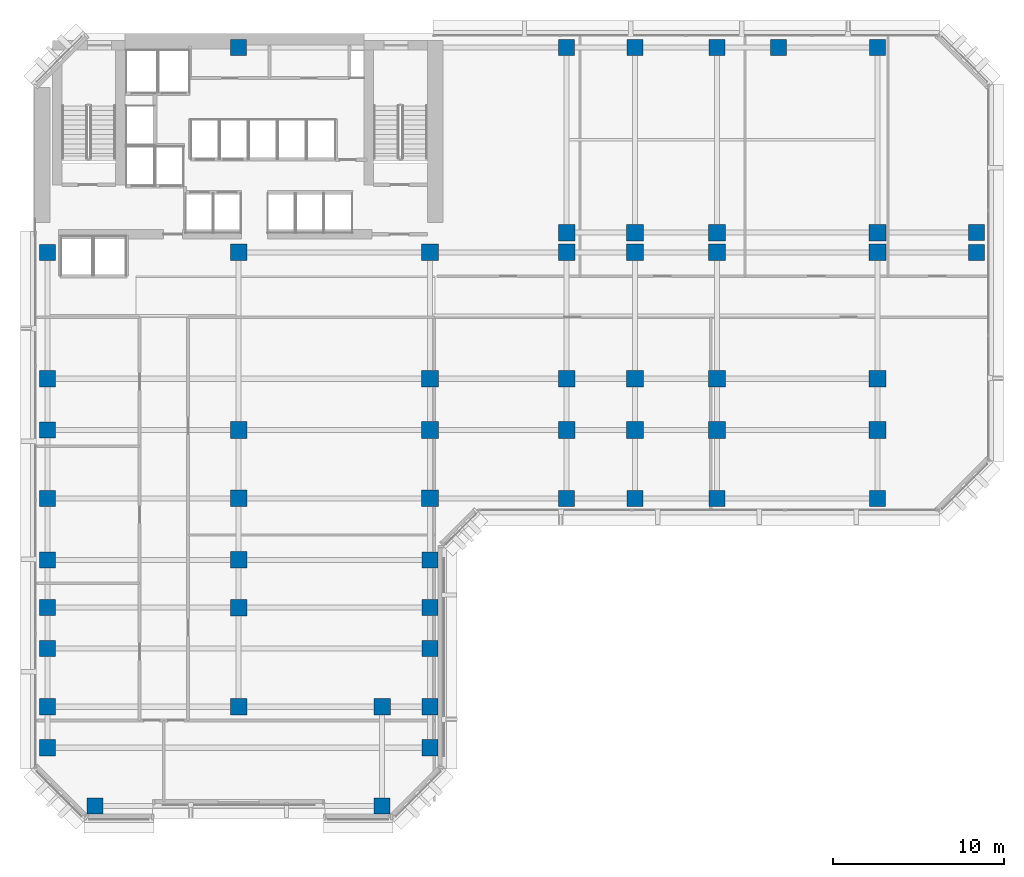
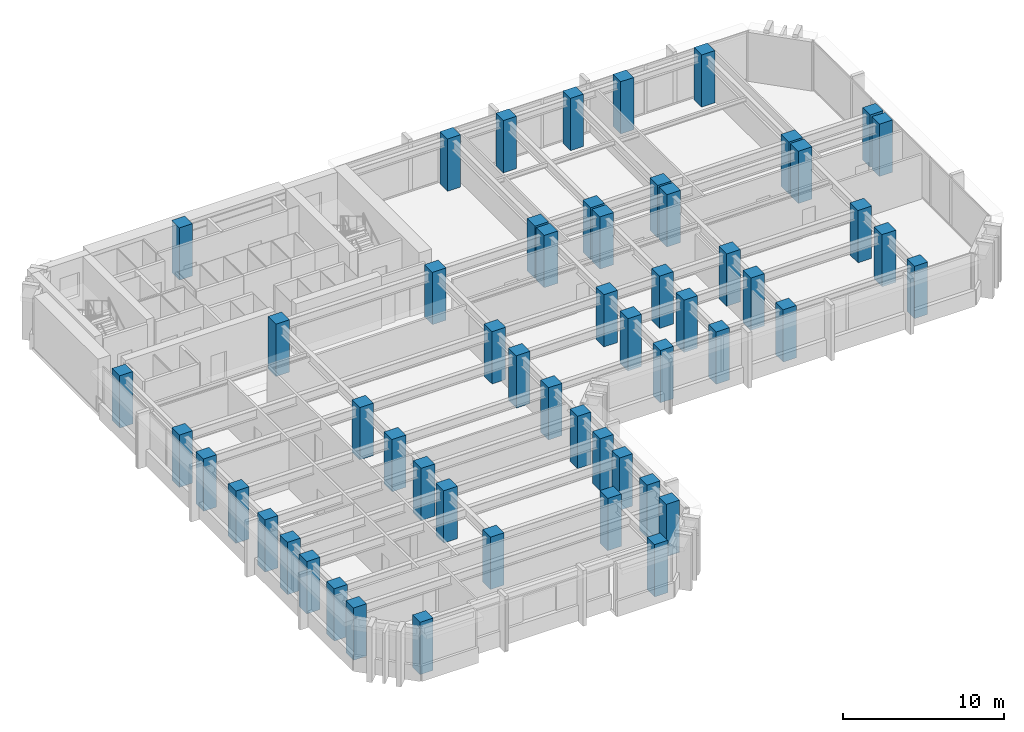
# One storey, part 1 of 13: 55 columns.
"""IFC4 building model written with IfcOpenShell, lengths in metres."""

from ifc_helpers import new_model, si_unit, direction, frame, origin, origin_2d, place, context, subcontext, project, spatial, rectangle, extrude, material, material_profile, profile_set, type_object, element, save


model = new_model("IFC4")

# Units and contexts
model_context = context("Model", 3, precision=1e-05, world=origin(), true_north=direction((0.0, 1.0)))
body_context = subcontext(model_context, "Body", "Model", "MODEL_VIEW")
ifc_project = project(units=[si_unit("LENGTHUNIT", "METRE"), si_unit("AREAUNIT", "SQUARE_METRE"), si_unit("VOLUMEUNIT", "CUBIC_METRE"), si_unit("PLANEANGLEUNIT", "RADIAN"), si_unit("MASSUNIT", "GRAM", prefix="KILO")], contexts=[model_context])

# Site, building, storey
site_placement = place(None, origin())
site = spatial("IfcSite", under=ifc_project, at=site_placement, CompositionType="ELEMENT")
building_placement = place(site_placement, origin())
building = spatial("IfcBuilding", under=site, at=building_placement, Name="Kefirva Bronze Tower", CompositionType="ELEMENT")
storey_placement = place(building_placement, frame((0.0, 0.0, 38.280029296875)))
storey = spatial("IfcBuildingStorey", under=building, at=storey_placement, Name="L08", CompositionType="ELEMENT", Elevation=38.280029296875)

# Columns
ifc_material = material(Name="Concrete C60/75", Category="concrete")
ifc_material_profile_1 = material_profile(ifc_material, rectangle(XDim=0.93994140625, YDim=0.93994140625, at=origin_2d()), Name="RC 940x940")
ifc_profile_set_1 = profile_set([ifc_material_profile_1], Name="Concrete C60/75")
column_type_1 = type_object("IfcColumnType", Name="RC Column 940x940 Ext", PredefinedType="COLUMN", material=ifc_profile_set_1)
for number, where, z_axis, x_axis, name in (
    (1, (0.800048828125, 4.199951171875, 0.0), (0.0, 0.0, 1.0), (1.0, 0.0, 0.0), "L08 Column C008_042"),
    (2, (0.800048828125, 6.60009765625, 0.0), (0.0, 0.0, 1.0), (1.0, 0.0, 0.0), "L08 Column C008_066"),
    (3, (0.800048828125, 10.0, 0.0), (0.0, 0.0, 1.0), (1.0, 0.0, 0.0), "L08 Column C008_100"),
    (4, (0.800048828125, 12.39990234375, 0.0), (0.0, 0.0, 1.0), (1.0, 0.0, 0.0), "L08 Column C008_124"),
    (5, (0.800048828125, 15.199951171875, 0.0), (0.0, 0.0, 1.0), (1.0, 0.0, 0.0), "L08 Column C008_152"),
    (6, (0.800048828125, 18.800048828125, 0.0), (0.0, 0.0, 1.0), (1.0, 0.0, 0.0), "L08 Column C008_188"),
    (7, (0.800048828125, 22.800048828125, 0.0), (0.0, 0.0, 1.0), (1.0, 0.0, 0.0), "L08 Column C008_228"),
    (8, (0.800048828125, 25.800048828125, 0.0), (0.0, 0.0, 1.0), (1.0, 0.0, 0.0), "L08 Column C008_258"),
    (9, (0.800048828125, 33.199951171875, 0.0), (0.0, 0.0, 1.0), (1.0, 0.0, 0.0), "L08 Column C008_332"),
    (10, (3.60009765625, 0.800048828125, 0.0), (0.0, 0.0, 1.0), (1.0, 0.0, 0.0), "L08 Column C036_008"),
    (11, (12.0, 45.199951171875, 0.0), (0.0, 0.0, 1.0), (1.0, 0.0, 0.0), "L08 Column C120_452"),
    (12, (20.39990234375, 0.800048828125, 0.0), (0.0, 0.0, 1.0), (1.0, 0.0, 0.0), "L08 Column C204_008"),
    (13, (23.199951171875, 4.199951171875, 0.0), (0.0, 0.0, 1.0), (1.0, 0.0, 0.0), "L08 Column C232_042"),
    (14, (23.199951171875, 6.60009765625, 0.0), (0.0, 0.0, 1.0), (1.0, 0.0, 0.0), "L08 Column C232_066"),
    (15, (23.199951171875, 10.0, 0.0), (0.0, 0.0, 1.0), (1.0, 0.0, 0.0), "L08 Column C232_100"),
    (16, (23.199951171875, 12.39990234375, 0.0), (0.0, 0.0, 1.0), (1.0, 0.0, 0.0), "L08 Column C232_124"),
    (17, (23.199951171875, 15.199951171875, 0.0), (0.0, 0.0, 1.0), (1.0, 0.0, 0.0), "L08 Column C232_152"),
    (18, (31.199951171875, 18.800048828125, 0.0), (0.0, 0.0, 1.0), (1.0, 0.0, 0.0), "L08 Column C312_188"),
    (19, (31.199951171875, 45.199951171875, 0.0), (0.0, 0.0, 1.0), (1.0, 0.0, 0.0), "L08 Column C312_452"),
    (20, (35.199951171875, 18.800048828125, 0.0), (0.0, 0.0, 1.0), (1.0, 0.0, 0.0), "L08 Column C352_188"),
    (21, (35.199951171875, 45.199951171875, 0.0), (0.0, 0.0, 1.0), (1.0, 0.0, 0.0), "L08 Column C352_452"),
    (22, (40.0, 18.800048828125, 0.0), (0.0, 0.0, 1.0), (1.0, 0.0, 0.0), "L08 Column C400_188"),
    (23, (40.0, 45.199951171875, 0.0), (0.0, 0.0, 1.0), (1.0, 0.0, 0.0), "L08 Column C400_452"),
    (24, (43.60009765625, 45.199951171875, 0.0), (0.0, 0.0, 1.0), (1.0, 0.0, 0.0), "L08 Column C436_452"),
    (25, (49.39990234375, 18.800048828125, 0.0), (0.0, 0.0, 1.0), (1.0, 0.0, 0.0), "L08 Column C494_188"),
    (26, (49.39990234375, 45.199951171875, 0.0), (0.0, 0.0, 1.0), (1.0, 0.0, 0.0), "L08 Column C494_452"),
    (27, (55.199951171875, 33.199951171875, 0.0), (0.0, 0.0, 1.0), (1.0, 0.0, 0.0), "L08 Column C552_332"),
    (28, (55.199951171875, 34.35009765625, 0.0), (0.0, 0.0, 1.0), (1.0, 0.0, 0.0), "L08 Column C552_344"),
):
    element("IfcColumn", number, at=place(storey_placement, frame(where, z_axis=z_axis, x_axis=x_axis)), inside=storey, type_object=column_type_1, Name=name, PredefinedType="COLUMN", context=body_context, shape_type="SweptSolid", body=[
        extrude(rectangle(XDim=0.93994140625, YDim=0.93994140625, at=origin_2d()), origin(), (0.0, 0.0, 1.0), 3.9599609375),
    ])
ifc_material_profile_2 = material_profile(ifc_material, rectangle(XDim=0.97998046875, YDim=0.97998046875, at=origin_2d()), Name="RC 980x980")
ifc_profile_set_2 = profile_set([ifc_material_profile_2], Name="Concrete C60/75")
column_type_2 = type_object("IfcColumnType", Name="RC Column 980x980 Int", PredefinedType="COLUMN", material=ifc_profile_set_2)
for number, where, z_axis, x_axis, name in (
    (29, (12.0, 6.60009765625, 0.0), (0.0, 0.0, 1.0), (1.0, 0.0, 0.0), "L08 Column C120_066"),
    (30, (12.0, 12.39990234375, 0.0), (0.0, 0.0, 1.0), (1.0, 0.0, 0.0), "L08 Column C120_124"),
    (31, (12.0, 15.199951171875, 0.0), (0.0, 0.0, 1.0), (1.0, 0.0, 0.0), "L08 Column C120_152"),
    (32, (12.0, 18.800048828125, 0.0), (0.0, 0.0, 1.0), (1.0, 0.0, 0.0), "L08 Column C120_188"),
    (33, (12.0, 22.800048828125, 0.0), (0.0, 0.0, 1.0), (1.0, 0.0, 0.0), "L08 Column C120_228"),
    (34, (12.0, 33.199951171875, 0.0), (0.0, 0.0, 1.0), (1.0, 0.0, 0.0), "L08 Column C120_332"),
    (35, (20.39990234375, 6.60009765625, 0.0), (0.0, 0.0, 1.0), (1.0, 0.0, 0.0), "L08 Column C204_066"),
    (36, (23.199951171875, 18.800048828125, 0.0), (0.0, 0.0, 1.0), (1.0, 0.0, 0.0), "L08 Column C232_188"),
    (37, (23.199951171875, 22.800048828125, 0.0), (0.0, 0.0, 1.0), (1.0, 0.0, 0.0), "L08 Column C232_228"),
    (38, (23.199951171875, 25.800048828125, 0.0), (0.0, 0.0, 1.0), (1.0, 0.0, 0.0), "L08 Column C232_258"),
    (39, (23.199951171875, 33.199951171875, 0.0), (0.0, 0.0, 1.0), (1.0, 0.0, 0.0), "L08 Column C232_332"),
    (40, (31.199951171875, 22.800048828125, 0.0), (0.0, 0.0, 1.0), (1.0, 0.0, 0.0), "L08 Column C312_228"),
    (41, (31.199951171875, 25.800048828125, 0.0), (0.0, 0.0, 1.0), (1.0, 0.0, 0.0), "L08 Column C312_258"),
    (42, (31.199951171875, 33.199951171875, 0.0), (0.0, 0.0, 1.0), (1.0, 0.0, 0.0), "L08 Column C312_332"),
    (43, (31.199951171875, 34.35009765625, 0.0), (0.0, 0.0, 1.0), (1.0, 0.0, 0.0), "L08 Column C312_344"),
    (44, (35.199951171875, 22.800048828125, 0.0), (0.0, 0.0, 1.0), (1.0, 0.0, 0.0), "L08 Column C352_228"),
    (45, (35.199951171875, 25.800048828125, 0.0), (0.0, 0.0, 1.0), (1.0, 0.0, 0.0), "L08 Column C352_258"),
    (46, (35.199951171875, 33.199951171875, 0.0), (0.0, 0.0, 1.0), (1.0, 0.0, 0.0), "L08 Column C352_332"),
    (47, (35.199951171875, 34.35009765625, 0.0), (0.0, 0.0, 1.0), (1.0, 0.0, 0.0), "L08 Column C352_344"),
    (48, (40.0, 22.800048828125, 0.0), (0.0, 0.0, 1.0), (1.0, 0.0, 0.0), "L08 Column C400_228"),
    (49, (40.0, 25.800048828125, 0.0), (0.0, 0.0, 1.0), (1.0, 0.0, 0.0), "L08 Column C400_258"),
    (50, (40.0, 33.199951171875, 0.0), (0.0, 0.0, 1.0), (1.0, 0.0, 0.0), "L08 Column C400_332"),
    (51, (40.0, 34.35009765625, 0.0), (0.0, 0.0, 1.0), (1.0, 0.0, 0.0), "L08 Column C400_344"),
    (52, (49.39990234375, 22.800048828125, 0.0), (0.0, 0.0, 1.0), (1.0, 0.0, 0.0), "L08 Column C494_228"),
    (53, (49.39990234375, 25.800048828125, 0.0), (0.0, 0.0, 1.0), (1.0, 0.0, 0.0), "L08 Column C494_258"),
    (54, (49.39990234375, 33.199951171875, 0.0), (0.0, 0.0, 1.0), (1.0, 0.0, 0.0), "L08 Column C494_332"),
    (55, (49.39990234375, 34.35009765625, 0.0), (0.0, 0.0, 1.0), (1.0, 0.0, 0.0), "L08 Column C494_344"),
):
    element("IfcColumn", number, at=place(storey_placement, frame(where, z_axis=z_axis, x_axis=x_axis)), inside=storey, type_object=column_type_2, Name=name, PredefinedType="COLUMN", context=body_context, shape_type="SweptSolid", body=[
        extrude(rectangle(XDim=0.97998046875, YDim=0.97998046875, at=origin_2d()), origin(), (0.0, 0.0, 1.0), 3.9599609375),
    ])

save(model, "model.ifc")
